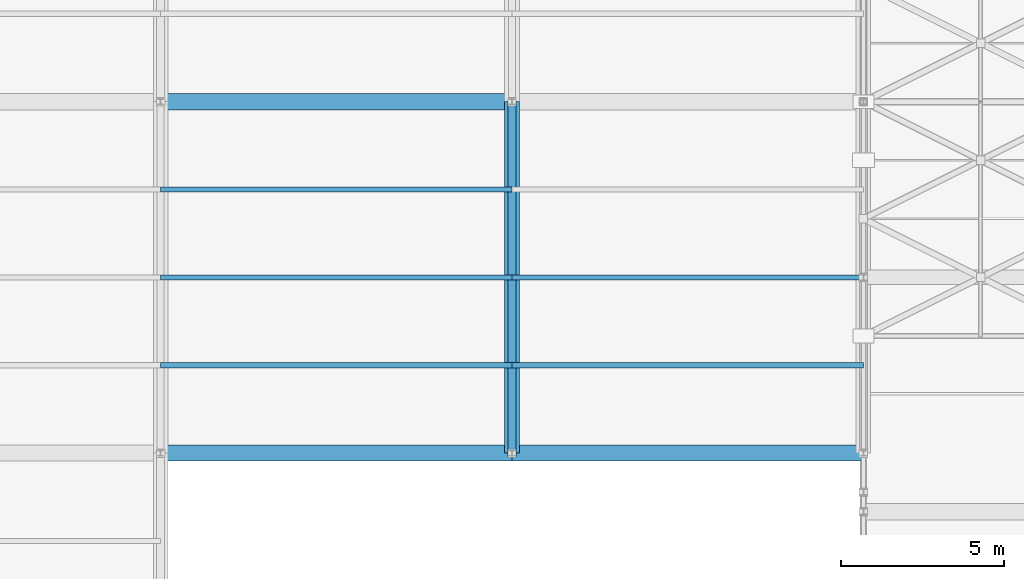
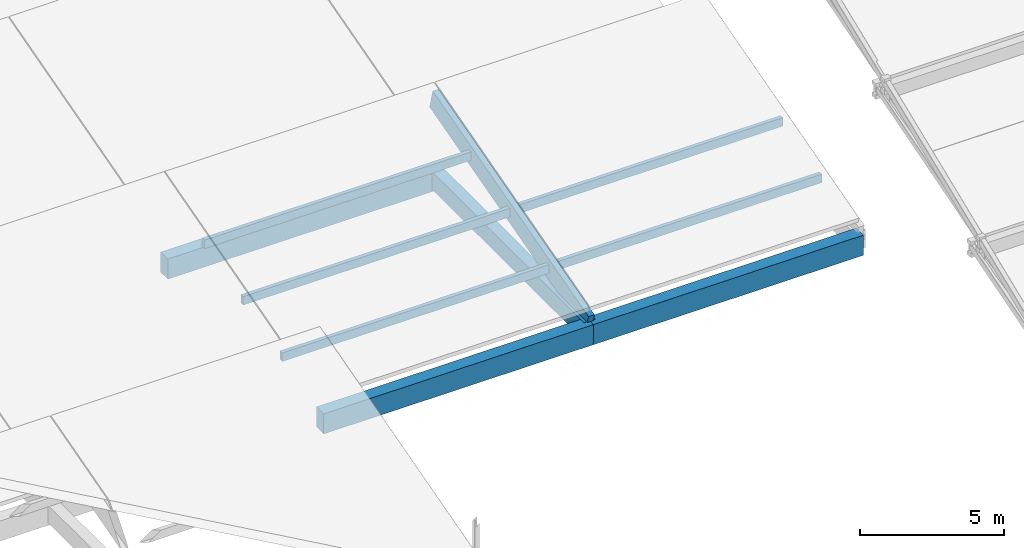
# One storey, part 26 of 112: 6 members, 4 beams.
"""IFC4 building model written with IfcOpenShell, lengths in metres."""

import ifcopenshell
import ifcopenshell.guid

model = None  # the IFC model being written
_history = None  # IfcOwnerHistory: only IFC2X3 demands one
_inside = {}  # id of a spatial element -> (the spatial element, [elements in it])
_under = {}  # id of a project, library or spatial element -> (it, [spatial elements below it])
_declared = {}  # id of a project -> (the project, [libraries it declares])
_typed = {}  # id of a type object -> (the type object, [elements of that type])
_made_of = {}  # id of a material, layer set ... -> (it, [elements and type objects made of it])


def new_model(schema):
    """Start an empty IFC model of exactly this schema.

    Asked for "IFC4X3", IfcOpenShell would pick the latest addendum, in which some entities
    have other attributes; the version numbers below select the first issue.
    IFC2X3 requires an IfcOwnerHistory on every rooted entity: one is made here for all.
    """
    global model, _history
    if schema == "IFC4X3":
        model = ifcopenshell.file(schema_version=(4, 3, 0, 0))
    else:
        model = ifcopenshell.file(schema=schema)
    _inside.clear()
    _under.clear()
    _declared.clear()
    _typed.clear()
    _made_of.clear()
    _history = None
    if model.schema == "IFC2X3":
        org = make("IfcOrganization", Name="unknown")
        user = make(
            "IfcPersonAndOrganization",
            ThePerson=make("IfcPerson", FamilyName="unknown"),
            TheOrganization=org,
        )
        app = make(
            "IfcApplication",
            ApplicationDeveloper=org,
            Version="unknown",
            ApplicationFullName="unknown",
            ApplicationIdentifier="unknown",
        )
        _history = make(
            "IfcOwnerHistory",
            OwningUser=user,
            OwningApplication=app,
            ChangeAction="ADDED",
            CreationDate=0,
        )
    return model


def make(cls, **values):
    """One entity of the class cls with the attributes given. An attribute that is None is left unset."""
    return model.create_entity(
        cls, **{name: value for name, value in values.items() if value is not None}
    )


def rooted(cls, **values):
    """An entity with a GlobalId (a new one), such as an element, a storey or a relation."""
    return make(cls, GlobalId=ifcopenshell.guid.new(), OwnerHistory=_history, **values)


def si_unit(unit_type, name, prefix=None):
    """IfcSIUnit, for example si_unit("LENGTHUNIT", "METRE", prefix="MILLI")."""
    return make("IfcSIUnit", UnitType=unit_type, Prefix=prefix, Name=name)


def assignment(units):
    """IfcUnitAssignment: the units of a project."""
    return None if units is None else make("IfcUnitAssignment", Units=units)


def point(xyz):
    """IfcCartesianPoint."""
    return None if xyz is None else make("IfcCartesianPoint", Coordinates=xyz)


def direction(xyz):
    """IfcDirection."""
    return None if xyz is None else make("IfcDirection", DirectionRatios=xyz)


def frame(location, z_axis=None, x_axis=None):
    """IfcAxis2Placement3D, a coordinate frame: its origin and axes. An axis left out is left unset."""
    return make(
        "IfcAxis2Placement3D",
        Location=point(location),
        Axis=direction(z_axis),
        RefDirection=direction(x_axis),
    )


def frame_2d(location, x_axis=None):
    """IfcAxis2Placement2D, a coordinate frame in the plane: its origin and x axis."""
    return make(
        "IfcAxis2Placement2D", Location=point(location), RefDirection=direction(x_axis)
    )


def origin():
    """The frame at (0, 0, 0) with its axes left unset."""
    return frame((0.0, 0.0, 0.0))


def origin_2d():
    """The frame at (0, 0) in the plane with its x axis left unset."""
    return frame_2d((0.0, 0.0))


def place(relative_to, where):
    """IfcLocalPlacement: puts the frame where relative to a parent placement (None: the world)."""
    return make(
        "IfcLocalPlacement", PlacementRelTo=relative_to, RelativePlacement=where
    )


def context(
    kind, dimensions, precision=None, world=None, true_north=None, identifier=None
):
    """IfcGeometricRepresentationContext, for example the 3D "Model" context."""
    return make(
        "IfcGeometricRepresentationContext",
        ContextIdentifier=identifier,
        ContextType=kind,
        CoordinateSpaceDimension=dimensions,
        Precision=precision,
        WorldCoordinateSystem=world,
        TrueNorth=true_north,
    )


def subcontext(parent, identifier, kind, view, scale=None):
    """IfcGeometricRepresentationSubContext, for example "Body" below "Model"."""
    return make(
        "IfcGeometricRepresentationSubContext",
        ContextIdentifier=identifier,
        ContextType=kind,
        ParentContext=parent,
        TargetScale=scale,
        TargetView=view,
    )


def project(units=None, contexts=None):
    """IfcProject with its units and contexts."""
    return rooted(
        "IfcProject",
        Name="project",
        RepresentationContexts=contexts,
        UnitsInContext=assignment(units),
    )


def spatial(cls, under=None, at=None, **own):
    """A site, building, storey or space (cls), placed at a placement, below another one or the project."""
    s = rooted(cls, ObjectPlacement=at, **own)
    if under is not None:
        _under.setdefault(under.id(), (under, []))[1].append(s)
    return s


def profile(cls, at=None, kind="AREA", **sizes):
    """A parametric profile (cls). Its sizes go by their IFC names, for example OverallWidth=200.0."""
    return make(cls, ProfileType=kind, Position=at, **sizes)


def rectangle(**sizes):
    """IfcRectangleProfileDef."""
    return profile("IfcRectangleProfileDef", **sizes)


def extrude(swept, where, along, depth):
    """IfcExtrudedAreaSolid: the profile swept, set in the frame where, extruded along a direction by depth."""
    return make(
        "IfcExtrudedAreaSolid",
        SweptArea=swept,
        Position=where,
        ExtrudedDirection=direction(along),
        Depth=depth,
    )


def shape(context_of_items, identifier, shape_type, items):
    """IfcShapeRepresentation: the items that make up one representation, for example the "Body"."""
    return make(
        "IfcShapeRepresentation",
        ContextOfItems=context_of_items,
        RepresentationIdentifier=identifier,
        RepresentationType=shape_type,
        Items=items,
    )


def material(Name=None, Category=None):
    """IfcMaterial."""
    return make("IfcMaterial", Name=Name, Category=Category)


def material_profile(
    of_material, cross_section, Name=None, Category=None, Priority=None
):
    """IfcMaterialProfile: a cross section and its material."""
    return make(
        "IfcMaterialProfile",
        Name=Name,
        Material=of_material,
        Profile=cross_section,
        Priority=Priority,
        Category=Category,
    )


def profile_set(profiles, Name=None, composite=None):
    """IfcMaterialProfileSet."""
    return make(
        "IfcMaterialProfileSet",
        Name=Name,
        MaterialProfiles=profiles,
        CompositeProfile=composite,
    )


def made_of(thing, what):
    """Note that an element or type object is made of a material, layer set ...; save() writes the relation."""
    if what is not None:
        _made_of.setdefault(what.id(), (what, []))[1].append(thing)
    return thing


def type_object(cls, material=None, **own):
    """A type object (cls), such as IfcWallType, which elements share."""
    return made_of(rooted(cls, **own), material)


def element(
    cls,
    number,
    at=None,
    inside=None,
    cuts=None,
    type_object=None,
    material=None,
    context=None,
    identifier="Body",
    shape_type=None,
    held_by="IfcProductDefinitionShape",
    body=None,
    shapes=None,
    **own,
):
    """One element of the class cls, such as IfcWall. Its Tag is "e" and its number.

    at: its placement. inside: the storey or other place that contains it. cuts: it is an
    opening in that element (IfcRelVoidsElement). A single representation is given by context,
    identifier, shape_type and body (its items); several are given by shapes. held_by: the class
    of the entity that holds the representations. save() writes the other relations.
    """
    e = rooted(cls, Tag="e%d" % number, ObjectPlacement=at, **own)
    if body is not None:
        shapes = [shape(context, identifier, shape_type, body)]
    if shapes is not None:
        e.Representation = make(held_by, Representations=shapes)
    if inside is not None:
        _inside.setdefault(inside.id(), (inside, []))[1].append(e)
    if cuts is not None:
        rooted(
            "IfcRelVoidsElement", RelatingBuildingElement=cuts, RelatedOpeningElement=e
        )
    if type_object is not None:
        _typed.setdefault(type_object.id(), (type_object, []))[1].append(e)
    return made_of(e, material)


def aggregate(whole, parts):
    """IfcRelAggregates: a whole, such as a stair, and the parts it consists of."""
    return rooted("IfcRelAggregates", RelatingObject=whole, RelatedObjects=parts)


def save(model, path):
    """Write the relations noted so far, then the file.

    IfcRelAggregates (storeys below a building ...), IfcRelContainedInSpatialStructure (elements
    in a storey), IfcRelDefinesByType, IfcRelAssociatesMaterial and IfcRelDeclares: one each for
    every whole, place, type object, material and project.
    """
    for whole, parts in _under.values():
        aggregate(whole, parts)
    for where, things in _inside.values():
        rooted(
            "IfcRelContainedInSpatialStructure",
            RelatedElements=things,
            RelatingStructure=where,
        )
    for kind, things in _typed.values():
        rooted("IfcRelDefinesByType", RelatedObjects=things, RelatingType=kind)
    for what, things in _made_of.values():
        rooted("IfcRelAssociatesMaterial", RelatedObjects=things, RelatingMaterial=what)
    for by, libraries in _declared.values():
        rooted("IfcRelDeclares", RelatingContext=by, RelatedDefinitions=libraries)
    model.write(path)


model = new_model("IFC4")

# Units and contexts
model_context = context("Model", 3, precision=1e-05, world=origin(), true_north=direction((0.0, 1.0)))
body_context = subcontext(model_context, "Body", "Model", "MODEL_VIEW")
ifc_project = project(units=[si_unit("LENGTHUNIT", "METRE"), si_unit("AREAUNIT", "SQUARE_METRE"), si_unit("VOLUMEUNIT", "CUBIC_METRE"), si_unit("PLANEANGLEUNIT", "RADIAN"), si_unit("MASSUNIT", "GRAM", prefix="KILO")], contexts=[model_context])

# Site, building, storey
site_placement = place(None, origin())
site = spatial("IfcSite", under=ifc_project, at=site_placement, CompositionType="ELEMENT")
building_placement = place(site_placement, origin())
building = spatial("IfcBuilding", under=site, at=building_placement, Name="Zwinboog Wholesale Market", CompositionType="ELEMENT")
storey_placement = place(building_placement, frame((0.0, 0.0, 19.080078125)))
storey = spatial("IfcBuildingStorey", under=building, at=storey_placement, Name="Roof", CompositionType="ELEMENT", Elevation=19.080078125)

# Beams
ifc_material_1 = material(Name="Precast concrete C45/55", Category="concrete")
ifc_material_profile_1 = material_profile(ifc_material_1, rectangle(XDim=0.5, YDim=0.85009765625, at=origin_2d()), Name="PC 500x850")
ifc_profile_set_1 = profile_set([ifc_material_profile_1], Name="Precast concrete C45/55")
beam_type_1 = type_object("IfcBeamType", Name="BT-03", PredefinedType="BEAM", material=ifc_profile_set_1)
for number, where, z_axis, x_axis, name in (
    (1, (43.199951171875, 64.800048828125, -9.425048828125), (1.0, 0.0, 0.0), (0.0, 1.0, 0.0), "BG-03 (BMG-Roof-0432-0648-1191)"),
    (2, (54.0, 64.800048828125, -9.425048828125), (1.0, 0.0, 0.0), (0.0, 1.0, 0.0), "BG-03 (BMG-Roof-0540-0648-1192)"),
    (3, (43.199951171875, 75.60009765625, -9.425048828125), (1.0, 0.0, 0.0), (0.0, 1.0, 0.0), "BG-03 (BMG-Roof-0432-0756-1193)"),
):
    element("IfcBeam", number, at=place(storey_placement, frame(where, z_axis=z_axis, x_axis=x_axis)), inside=storey, type_object=beam_type_1, Name=name, PredefinedType="BEAM", context=body_context, shape_type="SweptSolid", body=[
        extrude(rectangle(XDim=0.5, YDim=0.85009765625, at=origin_2d()), origin(), (0.0, 0.0, 1.0), 10.800048828125),
    ])
ifc_material_profile_2 = material_profile(ifc_material_1, rectangle(XDim=0.449951171875, YDim=0.75, at=origin_2d()), Name="PC 450x750")
ifc_profile_set_2 = profile_set([ifc_material_profile_2], Name="Precast concrete C45/55")
beam_type_2 = type_object("IfcBeamType", Name="BT-04", PredefinedType="BEAM", material=ifc_profile_set_2)
beam_placement = place(storey_placement, frame((54.0, 64.800048828125, -9.375), z_axis=(0.0, 1.0, 0.0), x_axis=(-1.0, 0.0, 0.0)))
element("IfcBeam", 4, at=beam_placement, inside=storey, type_object=beam_type_2, Name="BG-04 (BMG-Roof-0540-0648-1251)", PredefinedType="BEAM", context=body_context, shape_type="SweptSolid", body=[
    extrude(rectangle(XDim=0.449951171875, YDim=0.75, at=origin_2d()), origin(), (0.0, 0.0, 1.0), 10.800048828125),
])

# Members
ifc_material_2 = material(Name="Glulam GL28h", Category="wood")
ifc_material_profile_3 = material_profile(ifc_material_2, rectangle(XDim=0.239990234375, YDim=0.840087890625, at=origin_2d()), Name="GL28h 240x840")
ifc_profile_set_3 = profile_set([ifc_material_profile_3], Name="Glulam GL28h")
member_type_1 = type_object("IfcMemberType", Name="MT-09", PredefinedType="RAFTER", material=ifc_profile_set_3)
member_placement = place(storey_placement, frame((54.0, 64.800048828125, -9.11328125), z_axis=(0.0, 0.963518221675, 0.26764274042), x_axis=(-1.0, 0.0, 0.0)))
element("IfcMember", 5, at=member_placement, inside=storey, type_object=member_type_1, Name="GR-01 (MEM-Roof-0851)", PredefinedType="RAFTER", context=body_context, shape_type="SweptSolid", body=[
    extrude(rectangle(XDim=0.239990234375, YDim=0.840087890625, at=origin_2d()), origin(), (0.0, 0.0, 1.0), 11.208984375),
])
ifc_material_profile_4 = material_profile(ifc_material_2, rectangle(XDim=0.159912109375, YDim=0.360107421875, at=origin_2d()), Name="GL28h 160x360")
ifc_profile_set_4 = profile_set([ifc_material_profile_4], Name="Glulam GL28h")
member_type_2 = type_object("IfcMemberType", Name="MT-12", PredefinedType="PURLIN", material=ifc_profile_set_4)
for number, where, z_axis, x_axis, name in (
    (6, (43.199951171875, 67.5, -8.345703125), (1.0, 0.0, 0.0), (0.0, 1.0, 0.0), "GP-01 (MEM-Roof-0847)"),
    (7, (43.199951171875, 72.89990234375, -6.845703125), (1.0, 0.0, 0.0), (0.0, 1.0, 0.0), "GP-01 (MEM-Roof-0848)"),
    (8, (54.0, 67.5, -8.333251953125), (1.0, 0.0, 0.0), (0.0, 1.0, 0.0), "GP-01 (MEM-Roof-0855)"),
    (9, (43.199951171875, 70.199951171875, -7.595703125), (1.0, 0.0, 0.0), (0.0, 1.0, 0.0), "GP-01 (MEM-PRL-Roof-0041)"),
    (10, (54.0, 70.199951171875, -7.583251953125), (1.0, 0.0, 0.0), (0.0, 1.0, 0.0), "GP-01 (MEM-PRL-Roof-0042)"),
):
    element("IfcMember", number, at=place(storey_placement, frame(where, z_axis=z_axis, x_axis=x_axis)), inside=storey, type_object=member_type_2, Name=name, PredefinedType="PURLIN", context=body_context, shape_type="SweptSolid", body=[
        extrude(rectangle(XDim=0.159912109375, YDim=0.360107421875, at=origin_2d()), origin(), (0.0, 0.0, 1.0), 10.800048828125),
    ])

save(model, "model.ifc")
